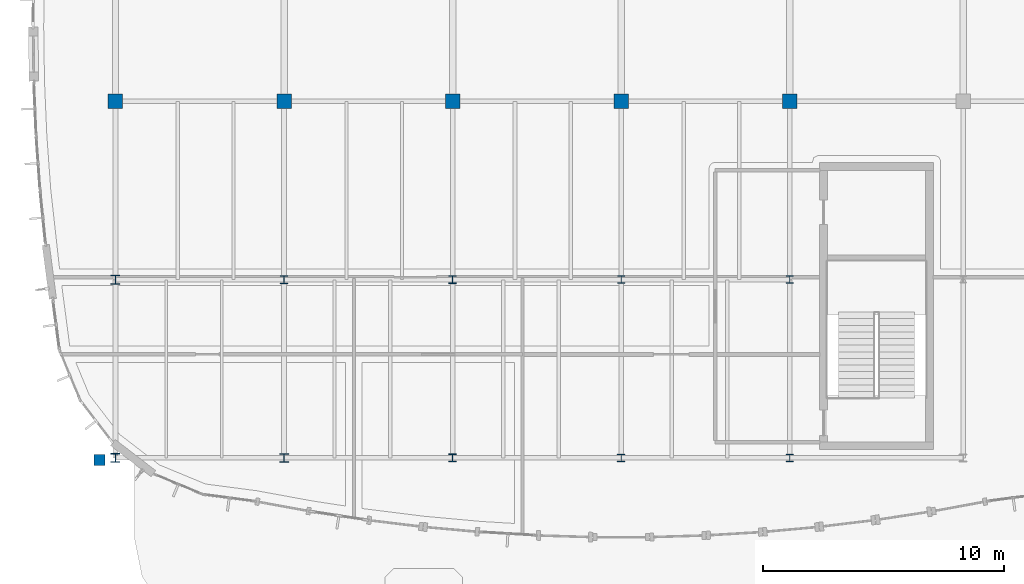
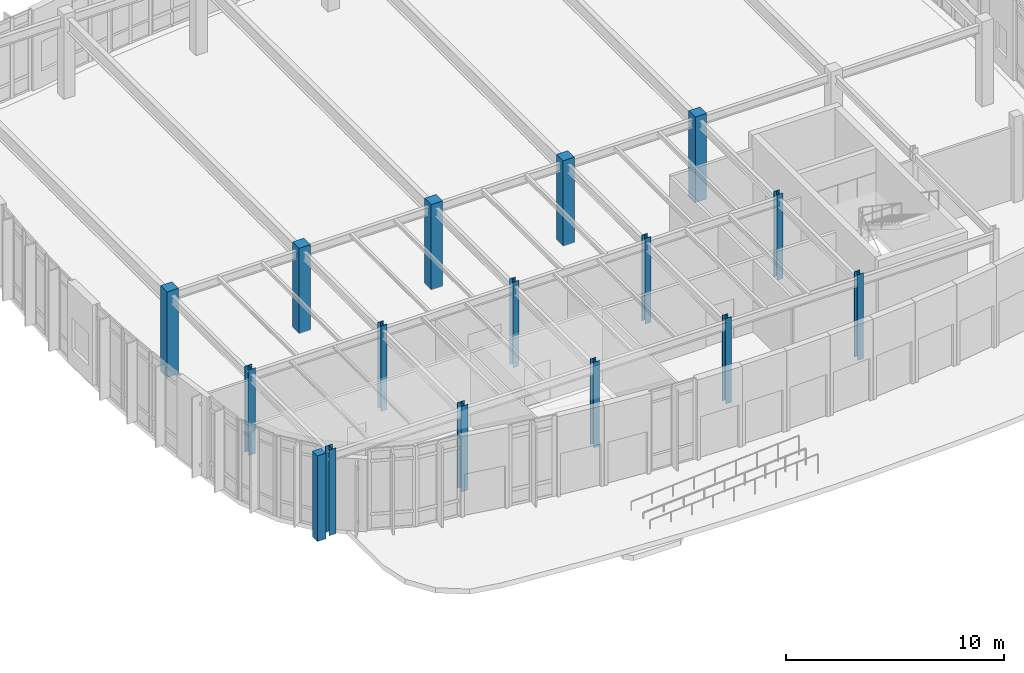
# One storey, part 8 of 120: 16 columns.
"""IFC4 building model written with IfcOpenShell, lengths in metres."""

from ifc_helpers import new_model, si_unit, direction, frame, origin, origin_2d, place, context, subcontext, project, spatial, rectangle, i_section, extrude, material, material_profile, profile_set, type_object, element, save


model = new_model("IFC4")

# Units and contexts
model_context = context("Model", 3, precision=1e-05, world=origin(), true_north=direction((0.0, 1.0)))
body_context = subcontext(model_context, "Body", "Model", "MODEL_VIEW")
ifc_project = project(units=[si_unit("LENGTHUNIT", "METRE"), si_unit("AREAUNIT", "SQUARE_METRE"), si_unit("VOLUMEUNIT", "CUBIC_METRE"), si_unit("PLANEANGLEUNIT", "RADIAN"), si_unit("MASSUNIT", "GRAM", prefix="KILO")], contexts=[model_context])

# Site, building, storey
site_placement = place(None, origin())
site = spatial("IfcSite", under=ifc_project, at=site_placement, CompositionType="ELEMENT")
building_placement = place(site_placement, origin())
building = spatial("IfcBuilding", under=site, at=building_placement, Name="Corveleigh Park Community Centre", CompositionType="ELEMENT")
storey_placement = place(building_placement, origin())
storey = spatial("IfcBuildingStorey", under=building, at=storey_placement, Name="L00", CompositionType="ELEMENT", Elevation=0.0)

# Columns
ifc_material_1 = material(Name="Concrete C40/50", Category="concrete")
ifc_material_profile_1 = material_profile(ifc_material_1, rectangle(XDim=0.449951171875, YDim=0.449951171875, at=origin_2d()), Name="RC-450x450", Category="concrete")
ifc_profile_set_1 = profile_set([ifc_material_profile_1], Name="Concrete C40/50")
column_type_1 = type_object("IfcColumnType", Name="COL-RC-450x450", PredefinedType="COLUMN", material=ifc_profile_set_1)
column_1_placement = place(storey_placement, frame((10.5400390625, 77.916015625, 0.0), z_axis=(0.0, 0.0, 1.0), x_axis=(1.0, 0.0, 0.0)))
element("IfcColumn", 1, at=column_1_placement, inside=storey, type_object=column_type_1, Name="External deck support pier 134 L00", PredefinedType="COLUMN", context=body_context, shape_type="SweptSolid", body=[
    extrude(rectangle(XDim=0.449951171875, YDim=0.449951171875, at=origin_2d()), origin(), (0.0, 0.0, 1.0), 4.800048828125),
])
ifc_material_profile_2 = material_profile(ifc_material_1, rectangle(XDim=0.60009765625, YDim=0.60009765625, at=origin_2d()), Name="RC-600x600", Category="concrete")
ifc_profile_set_2 = profile_set([ifc_material_profile_2], Name="Concrete C40/50")
column_type_2 = type_object("IfcColumnType", Name="COL-RC-600x600", PredefinedType="COLUMN", material=ifc_profile_set_2)
for number, where, z_axis, x_axis, name in (
    (2, (11.199951171875, 92.800048828125, 0.0), (0.0, 0.0, 1.0), (1.0, 0.0, 0.0), "Column V2-HS1 L00"),
    (3, (18.199951171875, 92.800048828125, 0.0), (0.0, 0.0, 1.0), (1.0, 0.0, 0.0), "Column V2-HS2 L00"),
    (4, (25.199951171875, 92.800048828125, 0.0), (0.0, 0.0, 1.0), (1.0, 0.0, 0.0), "Column V2-HS3 L00"),
    (5, (32.199951171875, 92.800048828125, 0.0), (0.0, 0.0, 1.0), (1.0, 0.0, 0.0), "Column V2-HS4 L00"),
    (6, (39.199951171875, 92.800048828125, 0.0), (0.0, 0.0, 1.0), (1.0, 0.0, 0.0), "Column V2-HS5 L00"),
):
    element("IfcColumn", number, at=place(storey_placement, frame(where, z_axis=z_axis, x_axis=x_axis)), inside=storey, type_object=column_type_2, Name=name, PredefinedType="COLUMN", context=body_context, shape_type="SweptSolid", body=[
        extrude(rectangle(XDim=0.60009765625, YDim=0.60009765625, at=origin_2d()), origin(), (0.0, 0.0, 1.0), 4.800048828125),
    ])
ifc_material_2 = material(Name="Steel S355", Category="steel")
ifc_material_profile_3 = material_profile(ifc_material_2, i_section(OverallWidth=0.307373046875, OverallDepth=0.314453125, WebThickness=0.011962890625, FlangeThickness=0.018798828125, at=origin_2d()), Name="UKC 305x305x118", Category="steel")
ifc_profile_set_3 = profile_set([ifc_material_profile_3], Name="Steel S355")
column_type_3 = type_object("IfcColumnType", Name="COL-STL-UKC305x118", PredefinedType="COLUMN", material=ifc_profile_set_3)
for number, where, z_axis, x_axis, name in (
    (7, (32.199951171875, 85.39990234375, 0.0), (0.0, 0.0, 1.0), (1.0, 0.0, 0.0), "Column V2-ST-X3Y1 L00"),
    (8, (39.199951171875, 78.0, 0.0), (0.0, 0.0, 1.0), (1.0, 0.0, 0.0), "Column V2-ST-X4Y0 L00"),
):
    element("IfcColumn", number, at=place(storey_placement, frame(where, z_axis=z_axis, x_axis=x_axis)), inside=storey, type_object=column_type_3, Name=name, PredefinedType="COLUMN", context=body_context, shape_type="SweptSolid", body=[
        extrude(i_section(OverallWidth=0.307373046875, OverallDepth=0.314453125, WebThickness=0.011962890625, FlangeThickness=0.018798828125, at=origin_2d()), origin(), (0.0, 0.0, 1.0), 4.800048828125),
    ])
ifc_material_profile_4 = material_profile(ifc_material_2, i_section(OverallWidth=0.30908203125, OverallDepth=0.320556640625, WebThickness=0.013916015625, FlangeThickness=0.021728515625, at=origin_2d()), Name="UKC 305x305x137", Category="steel")
ifc_profile_set_4 = profile_set([ifc_material_profile_4], Name="Steel S355")
column_type_4 = type_object("IfcColumnType", Name="COL-STL-UKC305x137", PredefinedType="COLUMN", material=ifc_profile_set_4)
for number, where, z_axis, x_axis, name in (
    (9, (25.199951171875, 85.39990234375, 0.0), (0.0, 0.0, 1.0), (1.0, 0.0, 0.0), "Column V2-ST-X2Y1 L00"),
    (10, (32.199951171875, 78.0, 0.0), (0.0, 0.0, 1.0), (1.0, 0.0, 0.0), "Column V2-ST-X3Y0 L00"),
):
    element("IfcColumn", number, at=place(storey_placement, frame(where, z_axis=z_axis, x_axis=x_axis)), inside=storey, type_object=column_type_4, Name=name, PredefinedType="COLUMN", context=body_context, shape_type="SweptSolid", body=[
        extrude(i_section(OverallWidth=0.30908203125, OverallDepth=0.320556640625, WebThickness=0.013916015625, FlangeThickness=0.021728515625, at=origin_2d()), origin(), (0.0, 0.0, 1.0), 4.800048828125),
    ])
ifc_material_profile_5 = material_profile(ifc_material_2, i_section(OverallWidth=0.311279296875, OverallDepth=0.3271484375, WebThickness=0.015869140625, FlangeThickness=0.02490234375, at=origin_2d()), Name="UKC 305x305x158", Category="steel")
ifc_profile_set_5 = profile_set([ifc_material_profile_5], Name="Steel S355")
column_type_5 = type_object("IfcColumnType", Name="COL-STL-UKC305x158", PredefinedType="COLUMN", material=ifc_profile_set_5)
for number, where, z_axis, x_axis, name in (
    (11, (18.199951171875, 85.39990234375, 0.0), (0.0, 0.0, 1.0), (1.0, 0.0, 0.0), "Column V2-ST-X1Y1 L00"),
    (12, (25.199951171875, 78.0, 0.0), (0.0, 0.0, 1.0), (1.0, 0.0, 0.0), "Column V2-ST-X2Y0 L00"),
):
    element("IfcColumn", number, at=place(storey_placement, frame(where, z_axis=z_axis, x_axis=x_axis)), inside=storey, type_object=column_type_5, Name=name, PredefinedType="COLUMN", context=body_context, shape_type="SweptSolid", body=[
        extrude(i_section(OverallWidth=0.311279296875, OverallDepth=0.3271484375, WebThickness=0.015869140625, FlangeThickness=0.02490234375, at=origin_2d()), origin(), (0.0, 0.0, 1.0), 4.800048828125),
    ])
ifc_material_profile_6 = material_profile(ifc_material_2, i_section(OverallWidth=0.305419921875, OverallDepth=0.307861328125, WebThickness=0.010009765625, FlangeThickness=0.015380859375, at=origin_2d()), Name="UKC 305x305x97", Category="steel")
ifc_profile_set_6 = profile_set([ifc_material_profile_6], Name="Steel S355")
column_type_6 = type_object("IfcColumnType", Name="COL-STL-UKC305x97", PredefinedType="COLUMN", material=ifc_profile_set_6)
column_2_placement = place(storey_placement, frame((39.199951171875, 85.39990234375, 0.0), z_axis=(0.0, 0.0, 1.0), x_axis=(1.0, 0.0, 0.0)))
element("IfcColumn", 13, at=column_2_placement, inside=storey, type_object=column_type_6, Name="Column V2-ST-X4Y1 L00", PredefinedType="COLUMN", context=body_context, shape_type="SweptSolid", body=[
    extrude(i_section(OverallWidth=0.305419921875, OverallDepth=0.307861328125, WebThickness=0.010009765625, FlangeThickness=0.015380859375, at=origin_2d()), origin(), (0.0, 0.0, 1.0), 4.800048828125),
])
ifc_material_profile_7 = material_profile(ifc_material_2, i_section(OverallWidth=0.37060546875, OverallDepth=0.362060546875, WebThickness=0.01220703125, FlangeThickness=0.020751953125, at=origin_2d()), Name="UKC 356x368x153", Category="steel")
ifc_profile_set_7 = profile_set([ifc_material_profile_7], Name="Steel S355")
column_type_7 = type_object("IfcColumnType", Name="COL-STL-UKC356x153", PredefinedType="COLUMN", material=ifc_profile_set_7)
for number, where, z_axis, x_axis, name in (
    (14, (11.199951171875, 85.39990234375, 0.0), (0.0, 0.0, 1.0), (1.0, 0.0, 0.0), "Column V2-ST-X0Y1 L00"),
    (15, (18.199951171875, 78.0, 0.0), (0.0, 0.0, 1.0), (1.0, 0.0, 0.0), "Column V2-ST-X1Y0 L00"),
):
    element("IfcColumn", number, at=place(storey_placement, frame(where, z_axis=z_axis, x_axis=x_axis)), inside=storey, type_object=column_type_7, Name=name, PredefinedType="COLUMN", context=body_context, shape_type="SweptSolid", body=[
        extrude(i_section(OverallWidth=0.37060546875, OverallDepth=0.362060546875, WebThickness=0.01220703125, FlangeThickness=0.020751953125, at=origin_2d()), origin(), (0.0, 0.0, 1.0), 4.800048828125),
    ])
ifc_material_profile_8 = material_profile(ifc_material_2, i_section(OverallWidth=0.37255859375, OverallDepth=0.3681640625, WebThickness=0.014404296875, FlangeThickness=0.023681640625, at=origin_2d()), Name="UKC 356x368x177", Category="steel")
ifc_profile_set_8 = profile_set([ifc_material_profile_8], Name="Steel S355")
column_type_8 = type_object("IfcColumnType", Name="COL-STL-UKC356x177", PredefinedType="COLUMN", material=ifc_profile_set_8)
column_3_placement = place(storey_placement, frame((11.199951171875, 78.0, 0.0), z_axis=(0.0, 0.0, 1.0), x_axis=(1.0, 0.0, 0.0)))
element("IfcColumn", 16, at=column_3_placement, inside=storey, type_object=column_type_8, Name="Column V2-ST-X0Y0 L00", PredefinedType="COLUMN", context=body_context, shape_type="SweptSolid", body=[
    extrude(i_section(OverallWidth=0.37255859375, OverallDepth=0.3681640625, WebThickness=0.014404296875, FlangeThickness=0.023681640625, at=origin_2d()), origin(), (0.0, 0.0, 1.0), 4.800048828125),
])

save(model, "model.ifc")
